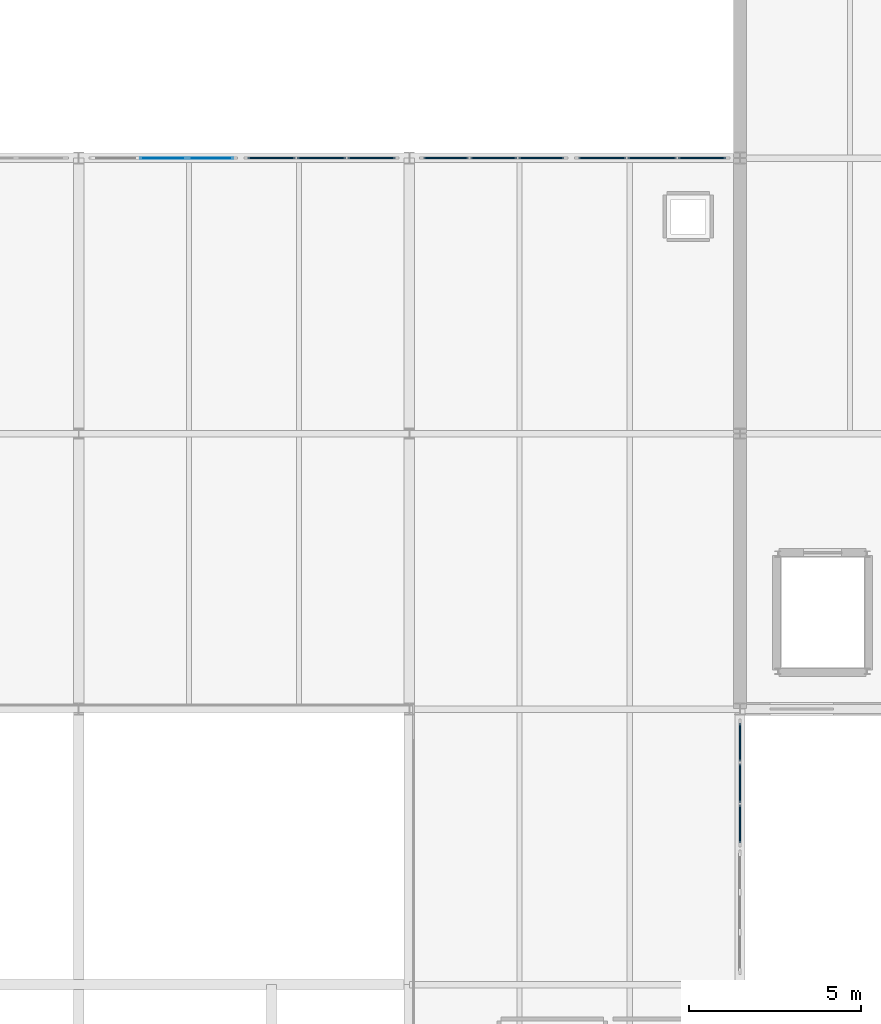
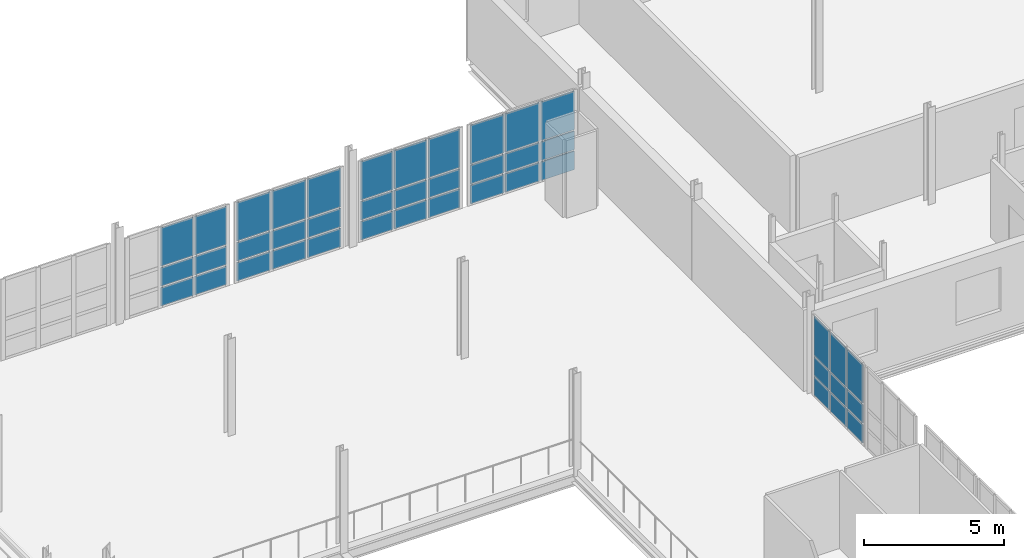
# One storey, part 51 of 73: 42 plates, 5 elements without a shape of their own.
"""IFC4 building model written with IfcOpenShell, lengths in metres."""

import ifcopenshell
import ifcopenshell.guid

model = None  # the IFC model being written
_history = None  # IfcOwnerHistory: only IFC2X3 demands one
_inside = {}  # id of a spatial element -> (the spatial element, [elements in it])
_under = {}  # id of a project, library or spatial element -> (it, [spatial elements below it])
_declared = {}  # id of a project -> (the project, [libraries it declares])
_typed = {}  # id of a type object -> (the type object, [elements of that type])
_made_of = {}  # id of a material, layer set ... -> (it, [elements and type objects made of it])


def new_model(schema):
    """Start an empty IFC model of exactly this schema.

    Asked for "IFC4X3", IfcOpenShell would pick the latest addendum, in which some entities
    have other attributes; the version numbers below select the first issue.
    IFC2X3 requires an IfcOwnerHistory on every rooted entity: one is made here for all.
    """
    global model, _history
    if schema == "IFC4X3":
        model = ifcopenshell.file(schema_version=(4, 3, 0, 0))
    else:
        model = ifcopenshell.file(schema=schema)
    _inside.clear()
    _under.clear()
    _declared.clear()
    _typed.clear()
    _made_of.clear()
    _history = None
    if model.schema == "IFC2X3":
        org = make("IfcOrganization", Name="unknown")
        user = make(
            "IfcPersonAndOrganization",
            ThePerson=make("IfcPerson", FamilyName="unknown"),
            TheOrganization=org,
        )
        app = make(
            "IfcApplication",
            ApplicationDeveloper=org,
            Version="unknown",
            ApplicationFullName="unknown",
            ApplicationIdentifier="unknown",
        )
        _history = make(
            "IfcOwnerHistory",
            OwningUser=user,
            OwningApplication=app,
            ChangeAction="ADDED",
            CreationDate=0,
        )
    return model


def make(cls, **values):
    """One entity of the class cls with the attributes given. An attribute that is None is left unset."""
    return model.create_entity(
        cls, **{name: value for name, value in values.items() if value is not None}
    )


def rooted(cls, **values):
    """An entity with a GlobalId (a new one), such as an element, a storey or a relation."""
    return make(cls, GlobalId=ifcopenshell.guid.new(), OwnerHistory=_history, **values)


def si_unit(unit_type, name, prefix=None):
    """IfcSIUnit, for example si_unit("LENGTHUNIT", "METRE", prefix="MILLI")."""
    return make("IfcSIUnit", UnitType=unit_type, Prefix=prefix, Name=name)


def assignment(units):
    """IfcUnitAssignment: the units of a project."""
    return None if units is None else make("IfcUnitAssignment", Units=units)


def point(xyz):
    """IfcCartesianPoint."""
    return None if xyz is None else make("IfcCartesianPoint", Coordinates=xyz)


def direction(xyz):
    """IfcDirection."""
    return None if xyz is None else make("IfcDirection", DirectionRatios=xyz)


def frame(location, z_axis=None, x_axis=None):
    """IfcAxis2Placement3D, a coordinate frame: its origin and axes. An axis left out is left unset."""
    return make(
        "IfcAxis2Placement3D",
        Location=point(location),
        Axis=direction(z_axis),
        RefDirection=direction(x_axis),
    )


def frame_2d(location, x_axis=None):
    """IfcAxis2Placement2D, a coordinate frame in the plane: its origin and x axis."""
    return make(
        "IfcAxis2Placement2D", Location=point(location), RefDirection=direction(x_axis)
    )


def origin():
    """The frame at (0, 0, 0) with its axes left unset."""
    return frame((0.0, 0.0, 0.0))


def origin_2d():
    """The frame at (0, 0) in the plane with its x axis left unset."""
    return frame_2d((0.0, 0.0))


def place(relative_to, where):
    """IfcLocalPlacement: puts the frame where relative to a parent placement (None: the world)."""
    return make(
        "IfcLocalPlacement", PlacementRelTo=relative_to, RelativePlacement=where
    )


def context(
    kind, dimensions, precision=None, world=None, true_north=None, identifier=None
):
    """IfcGeometricRepresentationContext, for example the 3D "Model" context."""
    return make(
        "IfcGeometricRepresentationContext",
        ContextIdentifier=identifier,
        ContextType=kind,
        CoordinateSpaceDimension=dimensions,
        Precision=precision,
        WorldCoordinateSystem=world,
        TrueNorth=true_north,
    )


def subcontext(parent, identifier, kind, view, scale=None):
    """IfcGeometricRepresentationSubContext, for example "Body" below "Model"."""
    return make(
        "IfcGeometricRepresentationSubContext",
        ContextIdentifier=identifier,
        ContextType=kind,
        ParentContext=parent,
        TargetScale=scale,
        TargetView=view,
    )


def project(units=None, contexts=None):
    """IfcProject with its units and contexts."""
    return rooted(
        "IfcProject",
        Name="project",
        RepresentationContexts=contexts,
        UnitsInContext=assignment(units),
    )


def spatial(cls, under=None, at=None, **own):
    """A site, building, storey or space (cls), placed at a placement, below another one or the project."""
    s = rooted(cls, ObjectPlacement=at, **own)
    if under is not None:
        _under.setdefault(under.id(), (under, []))[1].append(s)
    return s


def profile(cls, at=None, kind="AREA", **sizes):
    """A parametric profile (cls). Its sizes go by their IFC names, for example OverallWidth=200.0."""
    return make(cls, ProfileType=kind, Position=at, **sizes)


def rectangle(**sizes):
    """IfcRectangleProfileDef."""
    return profile("IfcRectangleProfileDef", **sizes)


def extrude(swept, where, along, depth):
    """IfcExtrudedAreaSolid: the profile swept, set in the frame where, extruded along a direction by depth."""
    return make(
        "IfcExtrudedAreaSolid",
        SweptArea=swept,
        Position=where,
        ExtrudedDirection=direction(along),
        Depth=depth,
    )


def shape(context_of_items, identifier, shape_type, items):
    """IfcShapeRepresentation: the items that make up one representation, for example the "Body"."""
    return make(
        "IfcShapeRepresentation",
        ContextOfItems=context_of_items,
        RepresentationIdentifier=identifier,
        RepresentationType=shape_type,
        Items=items,
    )


def material(Name=None, Category=None):
    """IfcMaterial."""
    return make("IfcMaterial", Name=Name, Category=Category)


def layer(
    of_material, thickness, ventilated=None, Name=None, Category=None, Priority=None
):
    """IfcMaterialLayer: one layer of a wall or slab, of a material (None: an air gap)."""
    return make(
        "IfcMaterialLayer",
        Material=of_material,
        LayerThickness=thickness,
        IsVentilated=ventilated,
        Name=Name,
        Category=Category,
        Priority=Priority,
    )


def layer_set(layers, Name=None):
    """IfcMaterialLayerSet."""
    return make("IfcMaterialLayerSet", MaterialLayers=layers, LayerSetName=Name)


def made_of(thing, what):
    """Note that an element or type object is made of a material, layer set ...; save() writes the relation."""
    if what is not None:
        _made_of.setdefault(what.id(), (what, []))[1].append(thing)
    return thing


def type_object(cls, material=None, **own):
    """A type object (cls), such as IfcWallType, which elements share."""
    return made_of(rooted(cls, **own), material)


def element(
    cls,
    number,
    at=None,
    inside=None,
    cuts=None,
    type_object=None,
    material=None,
    context=None,
    identifier="Body",
    shape_type=None,
    held_by="IfcProductDefinitionShape",
    body=None,
    shapes=None,
    **own,
):
    """One element of the class cls, such as IfcWall. Its Tag is "e" and its number.

    at: its placement. inside: the storey or other place that contains it. cuts: it is an
    opening in that element (IfcRelVoidsElement). A single representation is given by context,
    identifier, shape_type and body (its items); several are given by shapes. held_by: the class
    of the entity that holds the representations. save() writes the other relations.
    """
    e = rooted(cls, Tag="e%d" % number, ObjectPlacement=at, **own)
    if body is not None:
        shapes = [shape(context, identifier, shape_type, body)]
    if shapes is not None:
        e.Representation = make(held_by, Representations=shapes)
    if inside is not None:
        _inside.setdefault(inside.id(), (inside, []))[1].append(e)
    if cuts is not None:
        rooted(
            "IfcRelVoidsElement", RelatingBuildingElement=cuts, RelatedOpeningElement=e
        )
    if type_object is not None:
        _typed.setdefault(type_object.id(), (type_object, []))[1].append(e)
    return made_of(e, material)


def aggregate(whole, parts):
    """IfcRelAggregates: a whole, such as a stair, and the parts it consists of."""
    return rooted("IfcRelAggregates", RelatingObject=whole, RelatedObjects=parts)


def save(model, path):
    """Write the relations noted so far, then the file.

    IfcRelAggregates (storeys below a building ...), IfcRelContainedInSpatialStructure (elements
    in a storey), IfcRelDefinesByType, IfcRelAssociatesMaterial and IfcRelDeclares: one each for
    every whole, place, type object, material and project.
    """
    for whole, parts in _under.values():
        aggregate(whole, parts)
    for where, things in _inside.values():
        rooted(
            "IfcRelContainedInSpatialStructure",
            RelatedElements=things,
            RelatingStructure=where,
        )
    for kind, things in _typed.values():
        rooted("IfcRelDefinesByType", RelatedObjects=things, RelatingType=kind)
    for what, things in _made_of.values():
        rooted("IfcRelAssociatesMaterial", RelatedObjects=things, RelatingMaterial=what)
    for by, libraries in _declared.values():
        rooted("IfcRelDeclares", RelatingContext=by, RelatedDefinitions=libraries)
    model.write(path)


model = new_model("IFC4")

# Units and contexts
model_context = context("Model", 3, precision=1e-05, world=origin(), true_north=direction((0.0, 1.0)))
body_context = subcontext(model_context, "Body", "Model", "MODEL_VIEW")
ifc_project = project(units=[si_unit("LENGTHUNIT", "METRE"), si_unit("AREAUNIT", "SQUARE_METRE"), si_unit("VOLUMEUNIT", "CUBIC_METRE"), si_unit("PLANEANGLEUNIT", "RADIAN"), si_unit("MASSUNIT", "GRAM", prefix="KILO")], contexts=[model_context])

# Site, building, storey
site_placement = place(None, origin())
site = spatial("IfcSite", under=ifc_project, at=site_placement, CompositionType="ELEMENT")
building_placement = place(site_placement, origin())
building = spatial("IfcBuilding", under=site, at=building_placement, Name="Alderhovde Museum", CompositionType="ELEMENT")
storey_placement = place(building_placement, frame((0.0, 0.0, 12.89990234375)))
storey = spatial("IfcBuildingStorey", under=building, at=storey_placement, Name="L03", CompositionType="ELEMENT", Elevation=12.89990234375)

# Curtain wall, plates
ifc_material_1 = material(Name="Triple-Glazed Bronze-Anodised Curtain Wall", Category="glass")
ifc_layer_1 = layer(ifc_material_1, 0.179931640625)
ifc_layer_set_1 = layer_set([ifc_layer_1], Name="Triple-Glazed Bronze-Anodised Curtain Wall")
curtain_wall_type_1 = type_object("IfcCurtainWallType", Name="CW-UNIT-420x354", PredefinedType="USERDEFINED", material=ifc_layer_set_1)
curtain_wall_1_placement = place(storey_placement, origin())
curtain_wall_1 = element("IfcCurtainWall", 1, at=curtain_wall_1_placement, inside=storey, type_object=curtain_wall_type_1, Name="L03 Unitised Curtain Wall 52", ObjectType="UNITISED CURTAIN WALL", PredefinedType="USERDEFINED")
ifc_material_2 = material(Name="Triple-Glazed Low-E Laminated Glass", Category="glass")
ifc_layer_2 = layer(ifc_material_2, 0.028076171875)
ifc_layer_set_2 = layer_set([ifc_layer_2], Name="Triple-Glazed Low-E Laminated Glass")
plate_type_1 = type_object("IfcPlateType", Name="CWP-GLAZ-28", PredefinedType="CURTAIN_PANEL", material=ifc_layer_set_2)
plate_1_placement = place(storey_placement, frame((98.449951171875, 88.0, 0.06494140625), z_axis=(0.0, 0.0, 1.0), x_axis=(1.0, 0.0, 0.0)))
plate_1 = element("IfcPlate", 2, at=plate_1_placement, type_object=plate_type_1, Name="CW15 panel 2.1", PredefinedType="CURTAIN_PANEL", context=body_context, shape_type="SweptSolid", body=[
    extrude(rectangle(XDim=1.3349609375, YDim=0.028076171875, at=origin_2d()), origin(), (0.0, 0.0, 1.0), 0.802490234375),
])
plate_2_placement = place(storey_placement, frame((98.449951171875, 88.0, 0.9326171875), z_axis=(0.0, 0.0, 1.0), x_axis=(1.0, 0.0, 0.0)))
plate_2 = element("IfcPlate", 3, at=plate_2_placement, type_object=plate_type_1, Name="CW15 panel 2.2", PredefinedType="CURTAIN_PANEL", context=body_context, shape_type="SweptSolid", body=[
    extrude(rectangle(XDim=1.3349609375, YDim=0.028076171875, at=origin_2d()), origin(), (0.0, 0.0, 1.0), 0.804931640625),
])
plate_3_placement = place(storey_placement, frame((98.449951171875, 88.0, 1.802734375), z_axis=(0.0, 0.0, 1.0), x_axis=(1.0, 0.0, 0.0)))
plate_3 = element("IfcPlate", 4, at=plate_3_placement, type_object=plate_type_1, Name="CW15 panel 2.3", PredefinedType="CURTAIN_PANEL", context=body_context, shape_type="SweptSolid", body=[
    extrude(rectangle(XDim=1.3349609375, YDim=0.028076171875, at=origin_2d()), origin(), (0.0, 0.0, 1.0), 1.672607421875),
])
plate_4_placement = place(storey_placement, frame((99.833740234375, 88.0, 0.06494140625), z_axis=(0.0, 0.0, 1.0), x_axis=(1.0, 0.0, 0.0)))
plate_4 = element("IfcPlate", 5, at=plate_4_placement, type_object=plate_type_1, Name="CW15 panel 3.1", PredefinedType="CURTAIN_PANEL", context=body_context, shape_type="SweptSolid", body=[
    extrude(rectangle(XDim=1.302490234375, YDim=0.028076171875, at=origin_2d()), origin(), (0.0, 0.0, 1.0), 0.802490234375),
])
plate_5_placement = place(storey_placement, frame((99.833740234375, 88.0, 0.9326171875), z_axis=(0.0, 0.0, 1.0), x_axis=(1.0, 0.0, 0.0)))
plate_5 = element("IfcPlate", 6, at=plate_5_placement, type_object=plate_type_1, Name="CW15 panel 3.2", PredefinedType="CURTAIN_PANEL", context=body_context, shape_type="SweptSolid", body=[
    extrude(rectangle(XDim=1.302490234375, YDim=0.028076171875, at=origin_2d()), origin(), (0.0, 0.0, 1.0), 0.804931640625),
])
plate_6_placement = place(storey_placement, frame((99.833740234375, 88.0, 1.802734375), z_axis=(0.0, 0.0, 1.0), x_axis=(1.0, 0.0, 0.0)))
plate_6 = element("IfcPlate", 7, at=plate_6_placement, type_object=plate_type_1, Name="CW15 panel 3.3", PredefinedType="CURTAIN_PANEL", context=body_context, shape_type="SweptSolid", body=[
    extrude(rectangle(XDim=1.302490234375, YDim=0.028076171875, at=origin_2d()), origin(), (0.0, 0.0, 1.0), 1.672607421875),
])
aggregate(curtain_wall_1, [plate_1, plate_2, plate_3, plate_4, plate_5, plate_6])

ifc_material_3 = material(Name="Triple-Glazed Bronze-Anodised Curtain Wall", Category="glass")
ifc_layer_3 = layer(ifc_material_3, 0.179931640625)
ifc_layer_set_3 = layer_set([ifc_layer_3], Name="Triple-Glazed Bronze-Anodised Curtain Wall")
curtain_wall_type_2 = type_object("IfcCurtainWallType", Name="CW-UNIT-440x354", PredefinedType="USERDEFINED", material=ifc_layer_set_3)
curtain_wall_2_placement = place(storey_placement, origin())
curtain_wall_2 = element("IfcCurtainWall", 8, at=curtain_wall_2_placement, inside=storey, type_object=curtain_wall_type_2, Name="L03 Unitised Curtain Wall 53", ObjectType="UNITISED CURTAIN WALL", PredefinedType="USERDEFINED")
ifc_material_4 = material(Name="Triple-Glazed Low-E Laminated Glass", Category="glass")
ifc_layer_4 = layer(ifc_material_4, 0.035888671875)
ifc_layer_set_4 = layer_set([ifc_layer_4], Name="Triple-Glazed Low-E Laminated Glass")
plate_type_2 = type_object("IfcPlateType", Name="CWP-GLAZ-36", PredefinedType="CURTAIN_PANEL", material=ifc_layer_set_4)
plate_7_placement = place(storey_placement, frame((101.599609375, 88.0, 0.06494140625), z_axis=(0.0, 0.0, 1.0), x_axis=(1.0, 0.0, 0.0)))
plate_7 = element("IfcPlate", 9, at=plate_7_placement, type_object=plate_type_2, Name="CW16 panel 1.1", PredefinedType="CURTAIN_PANEL", context=body_context, shape_type="SweptSolid", body=[
    extrude(rectangle(XDim=1.369140625, YDim=0.035888671875, at=origin_2d()), origin(), (0.0, 0.0, 1.0), 0.802490234375),
])
plate_8_placement = place(storey_placement, frame((101.599609375, 88.0, 0.9326171875), z_axis=(0.0, 0.0, 1.0), x_axis=(1.0, 0.0, 0.0)))
plate_8 = element("IfcPlate", 10, at=plate_8_placement, type_object=plate_type_2, Name="CW16 panel 1.2", PredefinedType="CURTAIN_PANEL", context=body_context, shape_type="SweptSolid", body=[
    extrude(rectangle(XDim=1.369140625, YDim=0.035888671875, at=origin_2d()), origin(), (0.0, 0.0, 1.0), 0.804931640625),
])
plate_9_placement = place(storey_placement, frame((101.599609375, 88.0, 1.802734375), z_axis=(0.0, 0.0, 1.0), x_axis=(1.0, 0.0, 0.0)))
plate_9 = element("IfcPlate", 11, at=plate_9_placement, type_object=plate_type_2, Name="CW16 panel 1.3", PredefinedType="CURTAIN_PANEL", context=body_context, shape_type="SweptSolid", body=[
    extrude(rectangle(XDim=1.369140625, YDim=0.035888671875, at=origin_2d()), origin(), (0.0, 0.0, 1.0), 1.672607421875),
])
plate_10_placement = place(storey_placement, frame((103.050048828125, 88.0, 0.06494140625), z_axis=(0.0, 0.0, 1.0), x_axis=(1.0, 0.0, 0.0)))
plate_10 = element("IfcPlate", 12, at=plate_10_placement, type_object=plate_type_2, Name="CW16 panel 2.1", PredefinedType="CURTAIN_PANEL", context=body_context, shape_type="SweptSolid", body=[
    extrude(rectangle(XDim=1.401611328125, YDim=0.035888671875, at=origin_2d()), origin(), (0.0, 0.0, 1.0), 0.802490234375),
])
plate_11_placement = place(storey_placement, frame((103.050048828125, 88.0, 0.9326171875), z_axis=(0.0, 0.0, 1.0), x_axis=(1.0, 0.0, 0.0)))
plate_11 = element("IfcPlate", 13, at=plate_11_placement, type_object=plate_type_2, Name="CW16 panel 2.2", PredefinedType="CURTAIN_PANEL", context=body_context, shape_type="SweptSolid", body=[
    extrude(rectangle(XDim=1.401611328125, YDim=0.035888671875, at=origin_2d()), origin(), (0.0, 0.0, 1.0), 0.804931640625),
])
plate_12_placement = place(storey_placement, frame((103.050048828125, 88.0, 1.802734375), z_axis=(0.0, 0.0, 1.0), x_axis=(1.0, 0.0, 0.0)))
plate_12 = element("IfcPlate", 14, at=plate_12_placement, type_object=plate_type_2, Name="CW16 panel 2.3", PredefinedType="CURTAIN_PANEL", context=body_context, shape_type="SweptSolid", body=[
    extrude(rectangle(XDim=1.401611328125, YDim=0.035888671875, at=origin_2d()), origin(), (0.0, 0.0, 1.0), 1.672607421875),
])
plate_13_placement = place(storey_placement, frame((104.50048828125, 88.0, 0.06494140625), z_axis=(0.0, 0.0, 1.0), x_axis=(1.0, 0.0, 0.0)))
plate_13 = element("IfcPlate", 15, at=plate_13_placement, type_object=plate_type_2, Name="CW16 panel 3.1", PredefinedType="CURTAIN_PANEL", context=body_context, shape_type="SweptSolid", body=[
    extrude(rectangle(XDim=1.369140625, YDim=0.035888671875, at=origin_2d()), origin(), (0.0, 0.0, 1.0), 0.802490234375),
])
plate_14_placement = place(storey_placement, frame((104.50048828125, 88.0, 0.9326171875), z_axis=(0.0, 0.0, 1.0), x_axis=(1.0, 0.0, 0.0)))
plate_14 = element("IfcPlate", 16, at=plate_14_placement, type_object=plate_type_2, Name="CW16 panel 3.2", PredefinedType="CURTAIN_PANEL", context=body_context, shape_type="SweptSolid", body=[
    extrude(rectangle(XDim=1.369140625, YDim=0.035888671875, at=origin_2d()), origin(), (0.0, 0.0, 1.0), 0.804931640625),
])
plate_15_placement = place(storey_placement, frame((104.50048828125, 88.0, 1.802734375), z_axis=(0.0, 0.0, 1.0), x_axis=(1.0, 0.0, 0.0)))
plate_15 = element("IfcPlate", 17, at=plate_15_placement, type_object=plate_type_2, Name="CW16 panel 3.3", PredefinedType="CURTAIN_PANEL", context=body_context, shape_type="SweptSolid", body=[
    extrude(rectangle(XDim=1.369140625, YDim=0.035888671875, at=origin_2d()), origin(), (0.0, 0.0, 1.0), 1.672607421875),
])
aggregate(curtain_wall_2, [plate_7, plate_8, plate_9, plate_10, plate_11, plate_12, plate_13, plate_14, plate_15])

ifc_material_5 = material(Name="Triple-Glazed Bronze-Anodised Curtain Wall", Category="glass")
ifc_layer_5 = layer(ifc_material_5, 0.179931640625)
ifc_layer_set_5 = layer_set([ifc_layer_5], Name="Triple-Glazed Bronze-Anodised Curtain Wall")
curtain_wall_type_3 = type_object("IfcCurtainWallType", Name="CW-UNIT-360x354", PredefinedType="USERDEFINED", material=ifc_layer_set_5)
curtain_wall_3_placement = place(storey_placement, origin())
curtain_wall_3 = element("IfcCurtainWall", 18, at=curtain_wall_3_placement, inside=storey, type_object=curtain_wall_type_3, Name="L03 Unitised Curtain Wall 77", ObjectType="UNITISED CURTAIN WALL", PredefinedType="USERDEFINED")
plate_16_placement = place(storey_placement, frame((115.199951171875, 68.666259765625, 0.06494140625), z_axis=(0.0, 0.0, 1.0), x_axis=(0.0, 1.0, 0.0)))
plate_16 = element("IfcPlate", 19, at=plate_16_placement, type_object=plate_type_2, Name="CW20 panel 1.1", PredefinedType="CURTAIN_PANEL", context=body_context, shape_type="SweptSolid", body=[
    extrude(rectangle(XDim=1.1025390625, YDim=0.035888671875, at=origin_2d()), origin(), (0.0, 0.0, 1.0), 0.802490234375),
])
plate_17_placement = place(storey_placement, frame((115.199951171875, 68.666259765625, 0.9326171875), z_axis=(0.0, 0.0, 1.0), x_axis=(0.0, 1.0, 0.0)))
plate_17 = element("IfcPlate", 20, at=plate_17_placement, type_object=plate_type_2, Name="CW20 panel 1.2", PredefinedType="CURTAIN_PANEL", context=body_context, shape_type="SweptSolid", body=[
    extrude(rectangle(XDim=1.1025390625, YDim=0.035888671875, at=origin_2d()), origin(), (0.0, 0.0, 1.0), 0.804931640625),
])
plate_18_placement = place(storey_placement, frame((115.199951171875, 68.666259765625, 1.802734375), z_axis=(0.0, 0.0, 1.0), x_axis=(0.0, 1.0, 0.0)))
plate_18 = element("IfcPlate", 21, at=plate_18_placement, type_object=plate_type_2, Name="CW20 panel 1.3", PredefinedType="CURTAIN_PANEL", context=body_context, shape_type="SweptSolid", body=[
    extrude(rectangle(XDim=1.1025390625, YDim=0.035888671875, at=origin_2d()), origin(), (0.0, 0.0, 1.0), 1.672607421875),
])
plate_19_placement = place(storey_placement, frame((115.199951171875, 69.85009765625, 0.06494140625), z_axis=(0.0, 0.0, 1.0), x_axis=(0.0, 1.0, 0.0)))
plate_19 = element("IfcPlate", 22, at=plate_19_placement, type_object=plate_type_2, Name="CW20 panel 2.1", PredefinedType="CURTAIN_PANEL", context=body_context, shape_type="SweptSolid", body=[
    extrude(rectangle(XDim=1.135009765625, YDim=0.035888671875, at=origin_2d()), origin(), (0.0, 0.0, 1.0), 0.802490234375),
])
plate_20_placement = place(storey_placement, frame((115.199951171875, 69.85009765625, 0.9326171875), z_axis=(0.0, 0.0, 1.0), x_axis=(0.0, 1.0, 0.0)))
plate_20 = element("IfcPlate", 23, at=plate_20_placement, type_object=plate_type_2, Name="CW20 panel 2.2", PredefinedType="CURTAIN_PANEL", context=body_context, shape_type="SweptSolid", body=[
    extrude(rectangle(XDim=1.135009765625, YDim=0.035888671875, at=origin_2d()), origin(), (0.0, 0.0, 1.0), 0.804931640625),
])
plate_21_placement = place(storey_placement, frame((115.199951171875, 69.85009765625, 1.802734375), z_axis=(0.0, 0.0, 1.0), x_axis=(0.0, 1.0, 0.0)))
plate_21 = element("IfcPlate", 24, at=plate_21_placement, type_object=plate_type_2, Name="CW20 panel 2.3", PredefinedType="CURTAIN_PANEL", context=body_context, shape_type="SweptSolid", body=[
    extrude(rectangle(XDim=1.135009765625, YDim=0.035888671875, at=origin_2d()), origin(), (0.0, 0.0, 1.0), 1.672607421875),
])
plate_22_placement = place(storey_placement, frame((115.199951171875, 71.03369140625, 0.06494140625), z_axis=(0.0, 0.0, 1.0), x_axis=(0.0, 1.0, 0.0)))
plate_22 = element("IfcPlate", 25, at=plate_22_placement, type_object=plate_type_2, Name="CW20 panel 3.1", PredefinedType="CURTAIN_PANEL", context=body_context, shape_type="SweptSolid", body=[
    extrude(rectangle(XDim=1.1025390625, YDim=0.035888671875, at=origin_2d()), origin(), (0.0, 0.0, 1.0), 0.802490234375),
])
plate_23_placement = place(storey_placement, frame((115.199951171875, 71.03369140625, 0.9326171875), z_axis=(0.0, 0.0, 1.0), x_axis=(0.0, 1.0, 0.0)))
plate_23 = element("IfcPlate", 26, at=plate_23_placement, type_object=plate_type_2, Name="CW20 panel 3.2", PredefinedType="CURTAIN_PANEL", context=body_context, shape_type="SweptSolid", body=[
    extrude(rectangle(XDim=1.1025390625, YDim=0.035888671875, at=origin_2d()), origin(), (0.0, 0.0, 1.0), 0.804931640625),
])
plate_24_placement = place(storey_placement, frame((115.199951171875, 71.03369140625, 1.802734375), z_axis=(0.0, 0.0, 1.0), x_axis=(0.0, 1.0, 0.0)))
plate_24 = element("IfcPlate", 27, at=plate_24_placement, type_object=plate_type_2, Name="CW20 panel 3.3", PredefinedType="CURTAIN_PANEL", context=body_context, shape_type="SweptSolid", body=[
    extrude(rectangle(XDim=1.1025390625, YDim=0.035888671875, at=origin_2d()), origin(), (0.0, 0.0, 1.0), 1.672607421875),
])
aggregate(curtain_wall_3, [plate_16, plate_17, plate_18, plate_19, plate_20, plate_21, plate_22, plate_23, plate_24])

curtain_wall_4_placement = place(storey_placement, origin())
curtain_wall_4 = element("IfcCurtainWall", 28, at=curtain_wall_4_placement, inside=storey, type_object=curtain_wall_type_1, Name="L03 Unitised Curtain Wall 54", ObjectType="UNITISED CURTAIN WALL", PredefinedType="USERDEFINED")
ifc_material_6 = material(Name="Triple-Glazed Low-E Laminated Glass", Category="glass")
ifc_layer_6 = layer(ifc_material_6, 0.0439453125)
ifc_layer_set_6 = layer_set([ifc_layer_6], Name="Triple-Glazed Low-E Laminated Glass")
plate_type_3 = type_object("IfcPlateType", Name="CWP-GLAZ-44", PredefinedType="CURTAIN_PANEL", material=ifc_layer_set_6)
plate_25_placement = place(storey_placement, frame((106.666259765625, 88.0, 0.06494140625), z_axis=(0.0, 0.0, 1.0), x_axis=(1.0, 0.0, 0.0)))
plate_25 = element("IfcPlate", 29, at=plate_25_placement, type_object=plate_type_3, Name="CW15 panel 1.1", PredefinedType="CURTAIN_PANEL", context=body_context, shape_type="SweptSolid", body=[
    extrude(rectangle(XDim=1.302490234375, YDim=0.0439453125, at=origin_2d()), origin(), (0.0, 0.0, 1.0), 0.802490234375),
])
plate_26_placement = place(storey_placement, frame((106.666259765625, 88.0, 0.9326171875), z_axis=(0.0, 0.0, 1.0), x_axis=(1.0, 0.0, 0.0)))
plate_26 = element("IfcPlate", 30, at=plate_26_placement, type_object=plate_type_3, Name="CW15 panel 1.2", PredefinedType="CURTAIN_PANEL", context=body_context, shape_type="SweptSolid", body=[
    extrude(rectangle(XDim=1.302490234375, YDim=0.0439453125, at=origin_2d()), origin(), (0.0, 0.0, 1.0), 0.804931640625),
])
plate_27_placement = place(storey_placement, frame((106.666259765625, 88.0, 1.802734375), z_axis=(0.0, 0.0, 1.0), x_axis=(1.0, 0.0, 0.0)))
plate_27 = element("IfcPlate", 31, at=plate_27_placement, type_object=plate_type_3, Name="CW15 panel 1.3", PredefinedType="CURTAIN_PANEL", context=body_context, shape_type="SweptSolid", body=[
    extrude(rectangle(XDim=1.302490234375, YDim=0.0439453125, at=origin_2d()), origin(), (0.0, 0.0, 1.0), 1.672607421875),
])
plate_28_placement = place(storey_placement, frame((108.050048828125, 88.0, 0.06494140625), z_axis=(0.0, 0.0, 1.0), x_axis=(1.0, 0.0, 0.0)))
plate_28 = element("IfcPlate", 32, at=plate_28_placement, type_object=plate_type_3, Name="CW15 panel 2.1", PredefinedType="CURTAIN_PANEL", context=body_context, shape_type="SweptSolid", body=[
    extrude(rectangle(XDim=1.3349609375, YDim=0.0439453125, at=origin_2d()), origin(), (0.0, 0.0, 1.0), 0.802490234375),
])
plate_29_placement = place(storey_placement, frame((108.050048828125, 88.0, 0.9326171875), z_axis=(0.0, 0.0, 1.0), x_axis=(1.0, 0.0, 0.0)))
plate_29 = element("IfcPlate", 33, at=plate_29_placement, type_object=plate_type_3, Name="CW15 panel 2.2", PredefinedType="CURTAIN_PANEL", context=body_context, shape_type="SweptSolid", body=[
    extrude(rectangle(XDim=1.3349609375, YDim=0.0439453125, at=origin_2d()), origin(), (0.0, 0.0, 1.0), 0.804931640625),
])
plate_30_placement = place(storey_placement, frame((108.050048828125, 88.0, 1.802734375), z_axis=(0.0, 0.0, 1.0), x_axis=(1.0, 0.0, 0.0)))
plate_30 = element("IfcPlate", 34, at=plate_30_placement, type_object=plate_type_3, Name="CW15 panel 2.3", PredefinedType="CURTAIN_PANEL", context=body_context, shape_type="SweptSolid", body=[
    extrude(rectangle(XDim=1.3349609375, YDim=0.0439453125, at=origin_2d()), origin(), (0.0, 0.0, 1.0), 1.672607421875),
])
plate_31_placement = place(storey_placement, frame((109.433837890625, 88.0, 0.06494140625), z_axis=(0.0, 0.0, 1.0), x_axis=(1.0, 0.0, 0.0)))
plate_31 = element("IfcPlate", 35, at=plate_31_placement, type_object=plate_type_3, Name="CW15 panel 3.1", PredefinedType="CURTAIN_PANEL", context=body_context, shape_type="SweptSolid", body=[
    extrude(rectangle(XDim=1.302490234375, YDim=0.0439453125, at=origin_2d()), origin(), (0.0, 0.0, 1.0), 0.802490234375),
])
plate_32_placement = place(storey_placement, frame((109.433837890625, 88.0, 0.9326171875), z_axis=(0.0, 0.0, 1.0), x_axis=(1.0, 0.0, 0.0)))
plate_32 = element("IfcPlate", 36, at=plate_32_placement, type_object=plate_type_3, Name="CW15 panel 3.2", PredefinedType="CURTAIN_PANEL", context=body_context, shape_type="SweptSolid", body=[
    extrude(rectangle(XDim=1.302490234375, YDim=0.0439453125, at=origin_2d()), origin(), (0.0, 0.0, 1.0), 0.804931640625),
])
plate_33_placement = place(storey_placement, frame((109.433837890625, 88.0, 1.802734375), z_axis=(0.0, 0.0, 1.0), x_axis=(1.0, 0.0, 0.0)))
plate_33 = element("IfcPlate", 37, at=plate_33_placement, type_object=plate_type_3, Name="CW15 panel 3.3", PredefinedType="CURTAIN_PANEL", context=body_context, shape_type="SweptSolid", body=[
    extrude(rectangle(XDim=1.302490234375, YDim=0.0439453125, at=origin_2d()), origin(), (0.0, 0.0, 1.0), 1.672607421875),
])
aggregate(curtain_wall_4, [plate_25, plate_26, plate_27, plate_28, plate_29, plate_30, plate_31, plate_32, plate_33])

curtain_wall_5_placement = place(storey_placement, origin())
curtain_wall_5 = element("IfcCurtainWall", 38, at=curtain_wall_5_placement, inside=storey, type_object=curtain_wall_type_2, Name="L03 Unitised Curtain Wall 55", ObjectType="UNITISED CURTAIN WALL", PredefinedType="USERDEFINED")
ifc_material_7 = material(Name="Triple-Glazed Low-E Laminated Glass", Category="glass")
ifc_layer_7 = layer(ifc_material_7, 0.052001953125)
ifc_layer_set_7 = layer_set([ifc_layer_7], Name="Triple-Glazed Low-E Laminated Glass")
plate_type_4 = type_object("IfcPlateType", Name="CWP-GLAZ-52", PredefinedType="CURTAIN_PANEL", material=ifc_layer_set_7)
plate_34_placement = place(storey_placement, frame((111.199462890625, 88.0, 0.06494140625), z_axis=(0.0, 0.0, 1.0), x_axis=(1.0, 0.0, 0.0)))
plate_34 = element("IfcPlate", 39, at=plate_34_placement, type_object=plate_type_4, Name="CW16 panel 1.1", PredefinedType="CURTAIN_PANEL", context=body_context, shape_type="SweptSolid", body=[
    extrude(rectangle(XDim=1.369140625, YDim=0.052001953125, at=origin_2d()), origin(), (0.0, 0.0, 1.0), 0.802490234375),
])
plate_35_placement = place(storey_placement, frame((111.199462890625, 88.0, 0.9326171875), z_axis=(0.0, 0.0, 1.0), x_axis=(1.0, 0.0, 0.0)))
plate_35 = element("IfcPlate", 40, at=plate_35_placement, type_object=plate_type_4, Name="CW16 panel 1.2", PredefinedType="CURTAIN_PANEL", context=body_context, shape_type="SweptSolid", body=[
    extrude(rectangle(XDim=1.369140625, YDim=0.052001953125, at=origin_2d()), origin(), (0.0, 0.0, 1.0), 0.804931640625),
])
plate_36_placement = place(storey_placement, frame((111.199462890625, 88.0, 1.802734375), z_axis=(0.0, 0.0, 1.0), x_axis=(1.0, 0.0, 0.0)))
plate_36 = element("IfcPlate", 41, at=plate_36_placement, type_object=plate_type_4, Name="CW16 panel 1.3", PredefinedType="CURTAIN_PANEL", context=body_context, shape_type="SweptSolid", body=[
    extrude(rectangle(XDim=1.369140625, YDim=0.052001953125, at=origin_2d()), origin(), (0.0, 0.0, 1.0), 1.672607421875),
])
plate_37_placement = place(storey_placement, frame((112.64990234375, 88.0, 0.06494140625), z_axis=(0.0, 0.0, 1.0), x_axis=(1.0, 0.0, 0.0)))
plate_37 = element("IfcPlate", 42, at=plate_37_placement, type_object=plate_type_4, Name="CW16 panel 2.1", PredefinedType="CURTAIN_PANEL", context=body_context, shape_type="SweptSolid", body=[
    extrude(rectangle(XDim=1.401611328125, YDim=0.052001953125, at=origin_2d()), origin(), (0.0, 0.0, 1.0), 0.802490234375),
])
plate_38_placement = place(storey_placement, frame((112.64990234375, 88.0, 0.9326171875), z_axis=(0.0, 0.0, 1.0), x_axis=(1.0, 0.0, 0.0)))
plate_38 = element("IfcPlate", 43, at=plate_38_placement, type_object=plate_type_4, Name="CW16 panel 2.2", PredefinedType="CURTAIN_PANEL", context=body_context, shape_type="SweptSolid", body=[
    extrude(rectangle(XDim=1.401611328125, YDim=0.052001953125, at=origin_2d()), origin(), (0.0, 0.0, 1.0), 0.804931640625),
])
plate_39_placement = place(storey_placement, frame((112.64990234375, 88.0, 1.802734375), z_axis=(0.0, 0.0, 1.0), x_axis=(1.0, 0.0, 0.0)))
plate_39 = element("IfcPlate", 44, at=plate_39_placement, type_object=plate_type_4, Name="CW16 panel 2.3", PredefinedType="CURTAIN_PANEL", context=body_context, shape_type="SweptSolid", body=[
    extrude(rectangle(XDim=1.401611328125, YDim=0.052001953125, at=origin_2d()), origin(), (0.0, 0.0, 1.0), 1.672607421875),
])
plate_40_placement = place(storey_placement, frame((114.100341796875, 88.0, 0.06494140625), z_axis=(0.0, 0.0, 1.0), x_axis=(1.0, 0.0, 0.0)))
plate_40 = element("IfcPlate", 45, at=plate_40_placement, type_object=plate_type_4, Name="CW16 panel 3.1", PredefinedType="CURTAIN_PANEL", context=body_context, shape_type="SweptSolid", body=[
    extrude(rectangle(XDim=1.369140625, YDim=0.052001953125, at=origin_2d()), origin(), (0.0, 0.0, 1.0), 0.802490234375),
])
plate_41_placement = place(storey_placement, frame((114.100341796875, 88.0, 0.9326171875), z_axis=(0.0, 0.0, 1.0), x_axis=(1.0, 0.0, 0.0)))
plate_41 = element("IfcPlate", 46, at=plate_41_placement, type_object=plate_type_4, Name="CW16 panel 3.2", PredefinedType="CURTAIN_PANEL", context=body_context, shape_type="SweptSolid", body=[
    extrude(rectangle(XDim=1.369140625, YDim=0.052001953125, at=origin_2d()), origin(), (0.0, 0.0, 1.0), 0.804931640625),
])
plate_42_placement = place(storey_placement, frame((114.100341796875, 88.0, 1.802734375), z_axis=(0.0, 0.0, 1.0), x_axis=(1.0, 0.0, 0.0)))
plate_42 = element("IfcPlate", 47, at=plate_42_placement, type_object=plate_type_4, Name="CW16 panel 3.3", PredefinedType="CURTAIN_PANEL", context=body_context, shape_type="SweptSolid", body=[
    extrude(rectangle(XDim=1.369140625, YDim=0.052001953125, at=origin_2d()), origin(), (0.0, 0.0, 1.0), 1.672607421875),
])
aggregate(curtain_wall_5, [plate_34, plate_35, plate_36, plate_37, plate_38, plate_39, plate_40, plate_41, plate_42])

save(model, "model.ifc")
